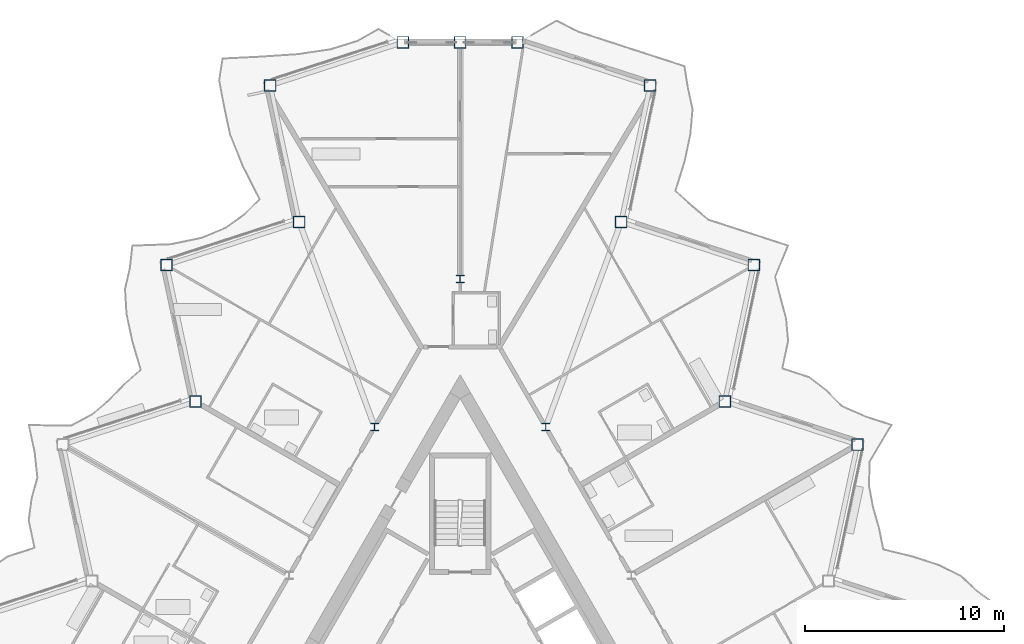
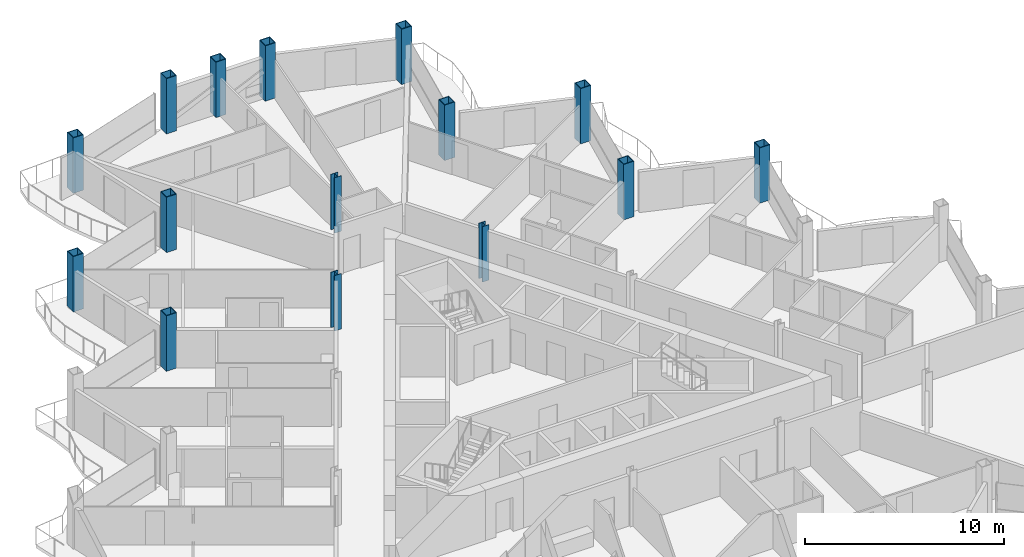
# One storey, part 3 of 26: 15 columns.
"""IFC4 building model written with IfcOpenShell, lengths in metres."""

from ifc_helpers import new_model, si_unit, direction, frame, origin, origin_2d, place, context, subcontext, project, spatial, hollow_rectangle, i_section, extrude, material, material_profile, profile_set, type_object, element, save


model = new_model("IFC4")

# Units and contexts
model_context = context("Model", 3, precision=1e-05, world=origin(), true_north=direction((0.0, 1.0)))
body_context = subcontext(model_context, "Body", "Model", "MODEL_VIEW")
ifc_project = project(units=[si_unit("LENGTHUNIT", "METRE"), si_unit("AREAUNIT", "SQUARE_METRE"), si_unit("VOLUMEUNIT", "CUBIC_METRE"), si_unit("PLANEANGLEUNIT", "RADIAN"), si_unit("MASSUNIT", "GRAM", prefix="KILO")], contexts=[model_context])

# Site, building, storey
site_placement = place(None, origin())
site = spatial("IfcSite", under=ifc_project, at=site_placement, CompositionType="ELEMENT")
building_placement = place(site_placement, origin())
building = spatial("IfcBuilding", under=site, at=building_placement, Name="Cormorant Prow Tower", CompositionType="ELEMENT")
storey_placement = place(building_placement, frame((0.0, 0.0, 322.199951171875)))
storey = spatial("IfcBuildingStorey", under=building, at=storey_placement, Name="L71", CompositionType="ELEMENT", Elevation=322.199951171875)

# Columns
ifc_material_1 = material(Name="Structural steel ASTM A572 Gr 50", Category="steel")
ifc_material_profile_1 = material_profile(ifc_material_1, hollow_rectangle(XDim=0.60009765625, YDim=0.60009765625, WallThickness=0.0400390625, at=origin_2d()), Name="Box 600x600x40")
ifc_profile_set_1 = profile_set([ifc_material_profile_1], Name="Structural steel ASTM A572 Gr 50")
column_type_1 = type_object("IfcColumnType", Name="Perimeter box column 600x600x40", PredefinedType="COLUMN", material=ifc_profile_set_1)
for number, where, z_axis, x_axis, name in (
    (1, (19.925537109375, 11.504150390625, 0.0), (0.0, 0.0, 1.0), (1.0, 0.0, 0.0), "Perimeter column C6 at ENE05 L71"),
    (2, (13.27197265625, 13.666015625, 0.0), (0.0, 0.0, 1.0), (1.0, 0.0, 0.0), "Perimeter column C6 at ENE06 L71"),
    (3, (14.7265625, 20.509033203125, 0.0), (0.0, 0.0, 1.0), (1.0, 0.0, 0.0), "Perimeter column C6 at ENE07 L71"),
    (4, (8.072998046875, 22.6708984375, 0.0), (0.0, 0.0, 1.0), (1.0, 0.0, 0.0), "Perimeter column C6 at ENE08 L71"),
    (5, (9.52734375, 29.51416015625, 0.0), (0.0, 0.0, 1.0), (1.0, 0.0, 0.0), "Perimeter column C6 at ENE09 L71"),
    (6, (2.873779296875, 31.676025390625, 0.0), (0.0, 0.0, 1.0), (1.0, 0.0, 0.0), "Perimeter column C6 at N00 L71"),
    (7, (0.0, 31.676025390625, 0.0), (0.0, 0.0, 1.0), (1.0, 0.0, 0.0), "Perimeter column C6 at N01 L71"),
    (8, (-2.873779296875, 31.676025390625, 0.0), (0.0, 0.0, 1.0), (1.0, 0.0, 0.0), "Perimeter column C6 at WNW00 L71"),
    (9, (-9.52734375, 29.51416015625, 0.0), (0.0, 0.0, 1.0), (1.0, 0.0, 0.0), "Perimeter column C6 at WNW01 L71"),
    (10, (-8.072998046875, 22.6708984375, 0.0), (0.0, 0.0, 1.0), (1.0, 0.0, 0.0), "Perimeter column C6 at WNW02 L71"),
    (11, (-14.7265625, 20.509033203125, 0.0), (0.0, 0.0, 1.0), (1.0, 0.0, 0.0), "Perimeter column C6 at WNW03 L71"),
    (12, (-13.27197265625, 13.666015625, 0.0), (0.0, 0.0, 1.0), (1.0, 0.0, 0.0), "Perimeter column C6 at WNW04 L71"),
):
    element("IfcColumn", number, at=place(storey_placement, frame(where, z_axis=z_axis, x_axis=x_axis)), inside=storey, type_object=column_type_1, Name=name, PredefinedType="COLUMN", context=body_context, shape_type="SweptSolid", body=[
        extrude(hollow_rectangle(XDim=0.60009765625, YDim=0.60009765625, WallThickness=0.0400390625, at=origin_2d()), origin(), (0.0, 0.0, 1.0), 3.400146484375),
    ])
ifc_material_2 = material(Name="Structural steel ASTM A992 Gr 50", Category="steel")
ifc_material_profile_2 = material_profile(ifc_material_2, i_section(OverallWidth=0.3955078125, OverallDepth=0.380615234375, WebThickness=0.018798828125, FlangeThickness=0.0302734375, at=origin_2d()), Name="W14x159")
ifc_profile_set_2 = profile_set([ifc_material_profile_2], Name="Structural steel ASTM A992 Gr 50")
column_type_2 = type_object("IfcColumnType", Name="Ring column W14x159", PredefinedType="COLUMN", material=ifc_profile_set_2)
for number, where, z_axis, x_axis, name in (
    (13, (0.0, 19.81103515625, 0.0), (0.0, 0.0, 1.0), (1.0, 0.0, 0.0), "Ring column 1 L71"),
    (14, (-4.289306640625, 12.3818359375, 0.0), (0.0, 0.0, 1.0), (1.0, 0.0, 0.0), "Ring column 2 L71"),
    (15, (4.289306640625, 12.3818359375, 0.0), (0.0, 0.0, 1.0), (1.0, 0.0, 0.0), "Ring column 12 L71"),
):
    element("IfcColumn", number, at=place(storey_placement, frame(where, z_axis=z_axis, x_axis=x_axis)), inside=storey, type_object=column_type_2, Name=name, PredefinedType="COLUMN", context=body_context, shape_type="SweptSolid", body=[
        extrude(i_section(OverallWidth=0.3955078125, OverallDepth=0.380615234375, WebThickness=0.018798828125, FlangeThickness=0.0302734375, at=origin_2d()), origin(), (0.0, 0.0, 1.0), 3.400146484375),
    ])

save(model, "model.ifc")
